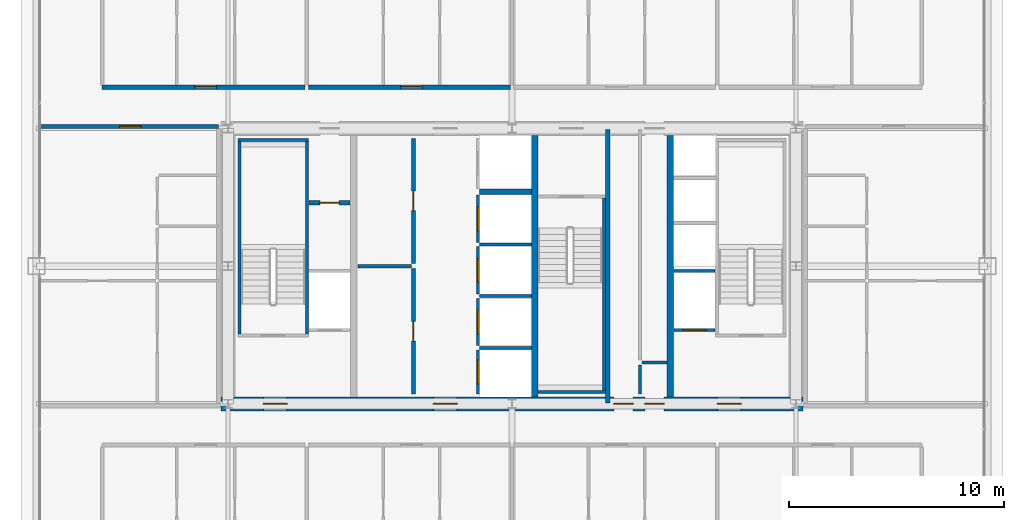
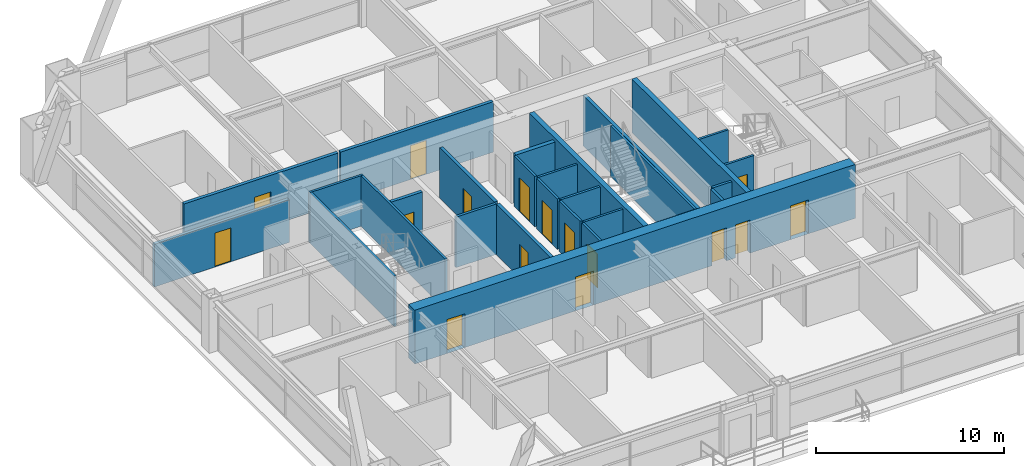
# One storey, part 38 of 42: 28 walls, 16 doors, 16 openings.
"""IFC4 building model written with IfcOpenShell, lengths in metres."""

from ifc_helpers import new_model, si_unit, direction, frame, frame_2d, origin, place, context, subcontext, project, spatial, rectangle, extrude, source, transform, mapped, material, layer, layer_set, type_object, element, fill, save


model = new_model("IFC4")

# Units and contexts
model_context = context("Model", 3, precision=1e-05, world=origin(), true_north=direction((0.0, 1.0)))
body_context = subcontext(model_context, "Body", "Model", "MODEL_VIEW")
ifc_project = project(units=[si_unit("LENGTHUNIT", "METRE"), si_unit("AREAUNIT", "SQUARE_METRE"), si_unit("VOLUMEUNIT", "CUBIC_METRE"), si_unit("PLANEANGLEUNIT", "RADIAN"), si_unit("MASSUNIT", "GRAM", prefix="KILO"), si_unit("THERMODYNAMICTEMPERATUREUNIT", "KELVIN"), si_unit("POWERUNIT", "WATT")], contexts=[model_context])

# Site, building, storey
site_placement = place(None, origin())
site = spatial("IfcSite", under=ifc_project, at=site_placement, CompositionType="ELEMENT")
building_placement = place(site_placement, origin())
building = spatial("IfcBuilding", under=site, at=building_placement, Name="Yuzanri Waterfront Tower", CompositionType="ELEMENT")
storey_placement = place(building_placement, frame((0.0, 0.0, 184.5)))
storey = spatial("IfcBuildingStorey", under=building, at=storey_placement, Name="L48", CompositionType="ELEMENT", Elevation=184.5)

# Wall, openings, doors
ifc_material_1 = material(Name="Concrete C50", Category="concrete")
ifc_layer_1 = layer(ifc_material_1, 0.64990234375)
ifc_layer_set_1 = layer_set([ifc_layer_1], Name="Concrete C50")
wall_type_1 = type_object("IfcWallType", Name="Concrete C50 Mid Zone Core Shear Wall 650", PredefinedType="SHEAR", material=ifc_layer_set_1)
wall_1_placement = place(storey_placement, frame((23.47509765625, 19.39990234375, 0.0), z_axis=(0.0, 0.0, 1.0), x_axis=(1.0, 0.0, 0.0)))
wall_1 = element("IfcWall", 1, at=wall_1_placement, inside=storey, type_object=wall_type_1, Name="L48 Core South Shear Wall", PredefinedType="SHEAR", context=body_context, shape_type="SweptSolid", body=[
    extrude(rectangle(XDim=27.0498046875, YDim=0.64990234375, at=frame_2d((13.52490234375, 0.0))), origin(), (0.0, 0.0, 1.0), 3.5),
])
opening_1_placement = place(wall_1_placement, frame((1.97509765625, 0.0, 0.0)))
opening_1 = element("IfcOpeningElement", 2, at=opening_1_placement, cuts=wall_1, Name="Opening FD-1100", PredefinedType="OPENING", context=body_context, shape_type="SweptSolid", body=[
    extrude(rectangle(XDim=1.10009765625, YDim=2.199951171875, at=frame_2d((0.550048828125, 1.10009765625))), frame((0.0, 0.33984375, 0.0), z_axis=(0.0, -1.0, 0.0), x_axis=(1.0, 0.0, 0.0)), (0.0, 0.0, 1.0), 0.6796875),
])
opening_2_placement = place(wall_1_placement, frame((9.875, 0.0, 0.0)))
opening_2 = element("IfcOpeningElement", 3, at=opening_2_placement, cuts=wall_1, Name="Opening FD-1100", PredefinedType="OPENING", context=body_context, shape_type="SweptSolid", body=[
    extrude(rectangle(XDim=1.10009765625, YDim=2.199951171875, at=frame_2d((0.550048828125, 1.10009765625))), frame((0.0, 0.33984375, 0.0), z_axis=(0.0, -1.0, 0.0), x_axis=(1.0, 0.0, 0.0)), (0.0, 0.0, 1.0), 0.6796875),
])
opening_3_placement = place(wall_1_placement, frame((23.074951171875, 0.0, 0.0)))
opening_3 = element("IfcOpeningElement", 4, at=opening_3_placement, cuts=wall_1, Name="Opening FD-1100", PredefinedType="OPENING", context=body_context, shape_type="SweptSolid", body=[
    extrude(rectangle(XDim=1.10009765625, YDim=2.199951171875, at=frame_2d((0.550048828125, 1.10009765625))), frame((0.0, 0.33984375, 0.0), z_axis=(0.0, -1.0, 0.0), x_axis=(1.0, 0.0, 0.0)), (0.0, 0.0, 1.0), 0.6796875),
])
opening_4_placement = place(wall_1_placement, frame((19.695068359375, 0.0, 0.0)))
opening_4 = element("IfcOpeningElement", 5, at=opening_4_placement, cuts=wall_1, Name="Opening FD-0900", PredefinedType="OPENING", context=body_context, shape_type="SweptSolid", body=[
    extrude(rectangle(XDim=0.89990234375, YDim=2.14990234375, at=frame_2d((0.449951171875, 1.074951171875))), frame((0.0, 0.33984375, 0.0), z_axis=(0.0, -1.0, 0.0), x_axis=(1.0, 0.0, 0.0)), (0.0, 0.0, 1.0), 0.6796875),
])
opening_5_placement = place(wall_1_placement, frame((18.2548828125, 0.0, 0.0)))
opening_5 = element("IfcOpeningElement", 6, at=opening_5_placement, cuts=wall_1, Name="Opening FD-0900", PredefinedType="OPENING", context=body_context, shape_type="SweptSolid", body=[
    extrude(rectangle(XDim=0.89990234375, YDim=2.14990234375, at=frame_2d((0.449951171875, 1.074951171875))), frame((0.0, 0.33984375, 0.0), z_axis=(0.0, -1.0, 0.0), x_axis=(1.0, 0.0, 0.0)), (0.0, 0.0, 1.0), 0.6796875),
])
ifc_material_2 = material(Name="Painted Galvanized Fire Steel", Category="steel")
door_type_1 = type_object("IfcDoorType", Name="Smoke-Proof Stair and Lobby Fire Door 1100x2200", OperationType="NOTDEFINED", PredefinedType="DOOR", material=ifc_material_2)
shared_shape_1 = source(origin(), body_context, "Body", "SweptSolid", [
    extrude(rectangle(XDim=1.10009765625, YDim=2.199951171875, at=frame_2d((0.550048828125, 1.10009765625))), frame((0.0, 0.02490234375, 0.0), z_axis=(0.0, -1.0, 0.0), x_axis=(1.0, 0.0, 0.0)), (0.0, 0.0, 1.0), 0.050048828125),
])
door_1_placement = place(opening_1_placement, origin())
door_1 = element("IfcDoor", 7, at=door_1_placement, inside=storey, type_object=door_type_1, Name="L48 West Firefighting Lobby Door", OperationType="SINGLE_SWING_LEFT", OverallHeight=2.199951171875, OverallWidth=1.10009765625, PredefinedType="DOOR", context=body_context, shape_type="MappedRepresentation", body=[
    mapped(shared_shape_1, transform((0.0, 0.0, 0.0), scale=1.0)),
])
fill(opening_1, door_1)
door_2_placement = place(opening_2_placement, origin())
door_2 = element("IfcDoor", 8, at=door_2_placement, inside=storey, type_object=door_type_1, Name="L48 Central Lift Lobby South Door", OperationType="SINGLE_SWING_RIGHT", OverallHeight=2.199951171875, OverallWidth=1.10009765625, PredefinedType="DOOR", context=body_context, shape_type="MappedRepresentation", body=[
    mapped(shared_shape_1, transform((0.0, 0.0, 0.0), scale=1.0)),
])
fill(opening_2, door_2)
door_3_placement = place(opening_3_placement, origin())
door_3 = element("IfcDoor", 9, at=door_3_placement, inside=storey, type_object=door_type_1, Name="L48 East Firefighting Lobby Door", OperationType="SINGLE_SWING_LEFT", OverallHeight=2.199951171875, OverallWidth=1.10009765625, PredefinedType="DOOR", context=body_context, shape_type="MappedRepresentation", body=[
    mapped(shared_shape_1, transform((0.0, 0.0, 0.0), scale=1.0)),
])
fill(opening_3, door_3)
ifc_material_3 = material(Name="Painted Galvanized Fire Steel", Category="steel")
door_type_2 = type_object("IfcDoorType", Name="Riser and Service Room Fire Door 900x2150", OperationType="NOTDEFINED", PredefinedType="DOOR", material=ifc_material_3)
shared_shape_2 = source(origin(), body_context, "Body", "SweptSolid", [
    extrude(rectangle(XDim=0.89990234375, YDim=2.14990234375, at=frame_2d((0.449951171875, 1.074951171875))), frame((0.0, 0.02490234375, 0.0), z_axis=(0.0, -1.0, 0.0), x_axis=(1.0, 0.0, 0.0)), (0.0, 0.0, 1.0), 0.050048828125),
])
door_4_placement = place(opening_4_placement, origin())
door_4 = element("IfcDoor", 10, at=door_4_placement, inside=storey, type_object=door_type_2, Name="L48 East Wet Riser Door", OperationType="SINGLE_SWING_RIGHT", OverallHeight=2.14990234375, OverallWidth=0.89990234375, PredefinedType="DOOR", context=body_context, shape_type="MappedRepresentation", body=[
    mapped(shared_shape_2, transform((0.0, 0.0, 0.0), scale=1.0)),
])
fill(opening_4, door_4)
door_5_placement = place(opening_5_placement, origin())
door_5 = element("IfcDoor", 11, at=door_5_placement, inside=storey, type_object=door_type_2, Name="L48 Cleaners Store Room", OperationType="SINGLE_SWING_LEFT", OverallHeight=2.14990234375, OverallWidth=0.89990234375, PredefinedType="DOOR", context=body_context, shape_type="MappedRepresentation", body=[
    mapped(shared_shape_2, transform((0.0, 0.0, 0.0), scale=1.0)),
])
fill(opening_5, door_5)

# Wall, opening, door
ifc_material_4 = material(Name="Concrete C40", Category="concrete")
ifc_layer_2 = layer(ifc_material_4, 0.139892578125)
ifc_layer_set_2 = layer_set([ifc_layer_2], Name="Concrete C40")
wall_type_2 = type_object("IfcWallType", Name="Core Stair Liner and Hoistway Shaft Wall 140", PredefinedType="SOLIDWALL", material=ifc_layer_set_2)
wall_2_placement = place(storey_placement, frame((44.52001953125, 22.830078125, 0.0), z_axis=(0.0, 0.0, 1.0), x_axis=(1.0, 0.0, 0.0)))
wall_2 = element("IfcWall", 12, at=wall_2_placement, inside=storey, type_object=wall_type_2, Name="L48 Lift FL-02 Front Shaft Wall", PredefinedType="SOLIDWALL", context=body_context, shape_type="SweptSolid", body=[
    extrude(rectangle(XDim=1.919921875, YDim=0.139892578125, at=frame_2d((0.9599609375, 0.0))), origin(), (0.0, 0.0, 1.0), 3.280029296875),
])
opening_6_placement = place(wall_2_placement, frame((0.409912109375, 0.0, 0.0)))
opening_6 = element("IfcOpeningElement", 13, at=opening_6_placement, cuts=wall_2, Name="Opening LD-FL-02", PredefinedType="OPENING", context=body_context, shape_type="SweptSolid", body=[
    extrude(rectangle(XDim=1.10009765625, YDim=2.199951171875, at=frame_2d((0.550048828125, 1.10009765625))), frame((0.0, 0.0849609375, 0.0), z_axis=(0.0, -1.0, 0.0), x_axis=(1.0, 0.0, 0.0)), (0.0, 0.0, 1.0), 0.169677734375),
])
ifc_material_5 = material(Name="Brushed Bronze and Stainless Steel Cab", Category="steel")
door_type_3 = type_object("IfcDoorType", Name="Center-Parting Bronze Lift Landing Sliding Door 1100x2200", OperationType="NOTDEFINED", PredefinedType="DOOR", material=ifc_material_5)
shared_shape_3 = source(origin(), body_context, "Body", "SweptSolid", [
    extrude(rectangle(XDim=1.10009765625, YDim=2.199951171875, at=frame_2d((0.550048828125, 1.10009765625))), frame((0.0, 0.02490234375, 0.0), z_axis=(0.0, -1.0, 0.0), x_axis=(1.0, 0.0, 0.0)), (0.0, 0.0, 1.0), 0.050048828125),
])
door_6_placement = place(opening_6_placement, origin())
door_6 = element("IfcDoor", 14, at=door_6_placement, inside=storey, type_object=door_type_3, Name="L48 FL-02 Lift Landing Sliding Door", OperationType="SLIDING_TO_RIGHT", OverallHeight=2.199951171875, OverallWidth=1.10009765625, PredefinedType="DOOR", context=body_context, shape_type="MappedRepresentation", body=[
    mapped(shared_shape_3, transform((0.0, 0.0, 0.0), scale=1.0)),
])
fill(opening_6, door_6)

wall_3_placement = place(storey_placement, frame((35.429931640625, 19.860107421875, 0.0), z_axis=(0.0, 0.0, 1.0), x_axis=(0.0, 1.0, 0.0)))
wall_3 = element("IfcWall", 15, at=wall_3_placement, inside=storey, type_object=wall_type_2, Name="L48 Lift PL-05 Front Shaft Wall", PredefinedType="SOLIDWALL", context=body_context, shape_type="SweptSolid", body=[
    extrude(rectangle(XDim=2.039794921875, YDim=0.139892578125, at=frame_2d((1.02001953125, 0.0))), origin(), (0.0, 0.0, 1.0), 3.280029296875),
])
opening_7_placement = place(wall_3_placement, frame((0.469970703125, 0.0, 0.0)))
opening_7 = element("IfcOpeningElement", 16, at=opening_7_placement, cuts=wall_3, Name="Opening LD-PL-05", PredefinedType="OPENING", context=body_context, shape_type="SweptSolid", body=[
    extrude(rectangle(XDim=1.10009765625, YDim=2.199951171875, at=frame_2d((0.550048828125, 1.10009765625))), frame((0.0, 0.0849609375, 0.0), z_axis=(0.0, -1.0, 0.0), x_axis=(1.0, 0.0, 0.0)), (0.0, 0.0, 1.0), 0.169677734375),
])
door_7_placement = place(opening_7_placement, origin())
door_7 = element("IfcDoor", 17, at=door_7_placement, inside=storey, type_object=door_type_3, Name="L48 PL-05 Lift Landing Sliding Door", OperationType="SLIDING_TO_RIGHT", OverallHeight=2.199951171875, OverallWidth=1.10009765625, PredefinedType="DOOR", context=body_context, shape_type="MappedRepresentation", body=[
    mapped(shared_shape_3, transform((0.0, 0.0, 0.0), scale=1.0)),
])
fill(opening_7, door_7)

wall_4_placement = place(storey_placement, frame((35.429931640625, 22.10009765625, 0.0), z_axis=(0.0, 0.0, 1.0), x_axis=(0.0, 1.0, 0.0)))
wall_4 = element("IfcWall", 18, at=wall_4_placement, inside=storey, type_object=wall_type_2, Name="L48 Lift PL-06 Front Shaft Wall", PredefinedType="SOLIDWALL", context=body_context, shape_type="SweptSolid", body=[
    extrude(rectangle(XDim=2.199951171875, YDim=0.139892578125, at=frame_2d((1.10009765625, 0.0))), origin(), (0.0, 0.0, 1.0), 3.280029296875),
])
opening_8_placement = place(wall_4_placement, frame((0.550048828125, 0.0, 0.0)))
opening_8 = element("IfcOpeningElement", 19, at=opening_8_placement, cuts=wall_4, Name="Opening LD-PL-06", PredefinedType="OPENING", context=body_context, shape_type="SweptSolid", body=[
    extrude(rectangle(XDim=1.10009765625, YDim=2.199951171875, at=frame_2d((0.550048828125, 1.10009765625))), frame((0.0, 0.0849609375, 0.0), z_axis=(0.0, -1.0, 0.0), x_axis=(1.0, 0.0, 0.0)), (0.0, 0.0, 1.0), 0.169677734375),
])
door_8_placement = place(opening_8_placement, origin())
door_8 = element("IfcDoor", 20, at=door_8_placement, inside=storey, type_object=door_type_3, Name="L48 PL-06 Lift Landing Sliding Door", OperationType="SLIDING_TO_LEFT", OverallHeight=2.199951171875, OverallWidth=1.10009765625, PredefinedType="DOOR", context=body_context, shape_type="MappedRepresentation", body=[
    mapped(shared_shape_3, transform((0.0, 0.0, 0.0), scale=1.0)),
])
fill(opening_8, door_8)

wall_5_placement = place(storey_placement, frame((35.429931640625, 24.5, 0.0), z_axis=(0.0, 0.0, 1.0), x_axis=(0.0, 1.0, 0.0)))
wall_5 = element("IfcWall", 21, at=wall_5_placement, inside=storey, type_object=wall_type_2, Name="L48 Lift PL-07 Front Shaft Wall", PredefinedType="SOLIDWALL", context=body_context, shape_type="SweptSolid", body=[
    extrude(rectangle(XDim=2.199951171875, YDim=0.139892578125, at=frame_2d((1.10009765625, 0.0))), origin(), (0.0, 0.0, 1.0), 3.280029296875),
])
opening_9_placement = place(wall_5_placement, frame((0.550048828125, 0.0, 0.0)))
opening_9 = element("IfcOpeningElement", 22, at=opening_9_placement, cuts=wall_5, Name="Opening LD-PL-07", PredefinedType="OPENING", context=body_context, shape_type="SweptSolid", body=[
    extrude(rectangle(XDim=1.10009765625, YDim=2.199951171875, at=frame_2d((0.550048828125, 1.10009765625))), frame((0.0, 0.0849609375, 0.0), z_axis=(0.0, -1.0, 0.0), x_axis=(1.0, 0.0, 0.0)), (0.0, 0.0, 1.0), 0.169677734375),
])
door_9_placement = place(opening_9_placement, origin())
door_9 = element("IfcDoor", 23, at=door_9_placement, inside=storey, type_object=door_type_3, Name="L48 PL-07 Lift Landing Sliding Door", OperationType="SLIDING_TO_RIGHT", OverallHeight=2.199951171875, OverallWidth=1.10009765625, PredefinedType="DOOR", context=body_context, shape_type="MappedRepresentation", body=[
    mapped(shared_shape_3, transform((0.0, 0.0, 0.0), scale=1.0)),
])
fill(opening_9, door_9)

wall_6_placement = place(storey_placement, frame((35.429931640625, 26.89990234375, 0.0), z_axis=(0.0, 0.0, 1.0), x_axis=(0.0, 1.0, 0.0)))
wall_6 = element("IfcWall", 24, at=wall_6_placement, inside=storey, type_object=wall_type_2, Name="L48 Lift PL-08 Front Shaft Wall", PredefinedType="SOLIDWALL", context=body_context, shape_type="SweptSolid", body=[
    extrude(rectangle(XDim=2.2001953125, YDim=0.139892578125, at=frame_2d((1.10009765625, 0.0))), origin(), (0.0, 0.0, 1.0), 3.280029296875),
])
opening_10_placement = place(wall_6_placement, frame((0.550048828125, 0.0, 0.0)))
opening_10 = element("IfcOpeningElement", 25, at=opening_10_placement, cuts=wall_6, Name="Opening LD-PL-08", PredefinedType="OPENING", context=body_context, shape_type="SweptSolid", body=[
    extrude(rectangle(XDim=1.10009765625, YDim=2.199951171875, at=frame_2d((0.550048828125, 1.10009765625))), frame((0.0, 0.0849609375, 0.0), z_axis=(0.0, -1.0, 0.0), x_axis=(1.0, 0.0, 0.0)), (0.0, 0.0, 1.0), 0.169677734375),
])
door_10_placement = place(opening_10_placement, origin())
door_10 = element("IfcDoor", 26, at=door_10_placement, inside=storey, type_object=door_type_3, Name="L48 PL-08 Lift Landing Sliding Door", OperationType="SLIDING_TO_LEFT", OverallHeight=2.199951171875, OverallWidth=1.10009765625, PredefinedType="DOOR", context=body_context, shape_type="MappedRepresentation", body=[
    mapped(shared_shape_3, transform((0.0, 0.0, 0.0), scale=1.0)),
])
fill(opening_10, door_10)

ifc_material_6 = material(Name="Autoclaved Aerated Concrete Blockwork", Category="masonry")
ifc_layer_3 = layer(ifc_material_6, 0.199951171875)
ifc_layer_set_3 = layer_set([ifc_layer_3], Name="Autoclaved Aerated Concrete Blockwork")
wall_type_3 = type_object("IfcWallType", Name="Corridor and Unit Party Fire Wall 200", PredefinedType="PARTITIONING", material=ifc_layer_set_3)
wall_7_placement = place(storey_placement, frame((27.56005859375, 28.75, 0.0), z_axis=(0.0, 0.0, 1.0), x_axis=(1.0, 0.0, 0.0)))
wall_7 = element("IfcWall", 27, at=wall_7_placement, inside=storey, type_object=wall_type_3, Name="L48 Partition CRW-L48-ERTR", PredefinedType="PARTITIONING", context=body_context, shape_type="SweptSolid", body=[
    extrude(rectangle(XDim=1.919921875, YDim=0.199951171875, at=frame_2d((0.9599609375, 0.0))), origin(), (0.0, 0.0, 1.0), 3.280029296875),
])
opening_11_placement = place(wall_7_placement, frame((0.510009765625, 0.0, 0.0)))
opening_11 = element("IfcOpeningElement", 28, at=opening_11_placement, cuts=wall_7, Name="Opening FD-0900", PredefinedType="OPENING", context=body_context, shape_type="SweptSolid", body=[
    extrude(rectangle(XDim=0.89990234375, YDim=2.14990234375, at=frame_2d((0.449951171875, 1.074951171875))), frame((0.0, 0.11474609375, 0.0), z_axis=(0.0, -1.0, 0.0), x_axis=(1.0, 0.0, 0.0)), (0.0, 0.0, 1.0), 0.229736328125),
])
door_11_placement = place(opening_11_placement, origin())
door_11 = element("IfcDoor", 29, at=door_11_placement, inside=storey, type_object=door_type_2, Name="L48 Electrical Riser Door", OperationType="SINGLE_SWING_LEFT", OverallHeight=2.14990234375, OverallWidth=0.89990234375, PredefinedType="DOOR", context=body_context, shape_type="MappedRepresentation", body=[
    mapped(shared_shape_2, transform((0.0, 0.0, 0.0), scale=1.0)),
])
fill(opening_11, door_11)

wall_8_placement = place(storey_placement, frame((32.419921875, 19.860107421875, 0.0), z_axis=(0.0, 0.0, 1.0), x_axis=(0.0, 1.0, 0.0)))
wall_8 = element("IfcWall", 30, at=wall_8_placement, inside=storey, type_object=wall_type_3, Name="L48 Partition CRW-L48-B1R-1", PredefinedType="PARTITIONING", context=body_context, shape_type="SweptSolid", body=[
    extrude(rectangle(XDim=5.83984375, YDim=0.199951171875, at=frame_2d((2.919921875, 0.0))), origin(), (0.0, 0.0, 1.0), 3.280029296875),
])
opening_12_placement = place(wall_8_placement, frame((2.469970703125, 0.0, 0.0)))
opening_12 = element("IfcOpeningElement", 31, at=opening_12_placement, cuts=wall_8, Name="Opening FD-0900", PredefinedType="OPENING", context=body_context, shape_type="SweptSolid", body=[
    extrude(rectangle(XDim=0.89990234375, YDim=2.14990234375, at=frame_2d((0.449951171875, 1.074951171875))), frame((0.0, 0.11474609375, 0.0), z_axis=(0.0, -1.0, 0.0), x_axis=(1.0, 0.0, 0.0)), (0.0, 0.0, 1.0), 0.229736328125),
])
door_12_placement = place(opening_12_placement, origin())
door_12 = element("IfcDoor", 32, at=door_12_placement, inside=storey, type_object=door_type_2, Name="L48 South Private Store Room", OperationType="SINGLE_SWING_RIGHT", OverallHeight=2.14990234375, OverallWidth=0.89990234375, PredefinedType="DOOR", context=body_context, shape_type="MappedRepresentation", body=[
    mapped(shared_shape_2, transform((0.0, 0.0, 0.0), scale=1.0)),
])
fill(opening_12, door_12)

wall_9_placement = place(storey_placement, frame((32.419921875, 25.919921875, 0.0), z_axis=(0.0, 0.0, 1.0), x_axis=(0.0, 1.0, 0.0)))
wall_9 = element("IfcWall", 33, at=wall_9_placement, inside=storey, type_object=wall_type_3, Name="L48 Partition CRW-L48-B1R-2", PredefinedType="PARTITIONING", context=body_context, shape_type="SweptSolid", body=[
    extrude(rectangle(XDim=5.820068359375, YDim=0.199951171875, at=frame_2d((2.91015625, 0.0))), origin(), (0.0, 0.0, 1.0), 3.280029296875),
])
opening_13_placement = place(wall_9_placement, frame((2.4599609375, 0.0, 0.0)))
opening_13 = element("IfcOpeningElement", 34, at=opening_13_placement, cuts=wall_9, Name="Opening FD-0900", PredefinedType="OPENING", context=body_context, shape_type="SweptSolid", body=[
    extrude(rectangle(XDim=0.89990234375, YDim=2.14990234375, at=frame_2d((0.449951171875, 1.074951171875))), frame((0.0, 0.11474609375, 0.0), z_axis=(0.0, -1.0, 0.0), x_axis=(1.0, 0.0, 0.0)), (0.0, 0.0, 1.0), 0.229736328125),
])
door_13_placement = place(opening_13_placement, origin())
door_13 = element("IfcDoor", 35, at=door_13_placement, inside=storey, type_object=door_type_2, Name="L48 North Private Store Room", OperationType="SINGLE_SWING_LEFT", OverallHeight=2.14990234375, OverallWidth=0.89990234375, PredefinedType="DOOR", context=body_context, shape_type="MappedRepresentation", body=[
    mapped(shared_shape_2, transform((0.0, 0.0, 0.0), scale=1.0)),
])
fill(opening_13, door_13)

wall_10_placement = place(storey_placement, frame((17.93994140625, 34.110107421875, 0.0), z_axis=(0.0, 0.0, 1.0), x_axis=(1.0, 0.0, 0.0)))
wall_10 = element("IfcWall", 36, at=wall_10_placement, inside=storey, type_object=wall_type_3, Name="L48 Partition UW-L48-RN1-CS", PredefinedType="PARTITIONING", context=body_context, shape_type="SweptSolid", body=[
    extrude(rectangle(XDim=9.449951171875, YDim=0.199951171875, at=frame_2d((4.72509765625, 0.0))), origin(), (0.0, 0.0, 1.0), 3.280029296875),
])
opening_14_placement = place(wall_10_placement, frame((4.324951171875, 0.0, 0.0)))
opening_14 = element("IfcOpeningElement", 37, at=opening_14_placement, cuts=wall_10, Name="Opening FD-1000", PredefinedType="OPENING", context=body_context, shape_type="SweptSolid", body=[
    extrude(rectangle(XDim=1.0, YDim=2.199951171875, at=frame_2d((0.5, 1.10009765625))), frame((0.0, 0.11474609375, 0.0), z_axis=(0.0, -1.0, 0.0), x_axis=(1.0, 0.0, 0.0)), (0.0, 0.0, 1.0), 0.229736328125),
])
ifc_material_7 = material(Name="Engineered Oak Fire-Rated Timber", Category="wood")
door_type_4 = type_object("IfcDoorType", Name="Guestroom and Apartment Entrance Fire Door 1000x2200", OperationType="NOTDEFINED", PredefinedType="DOOR", material=ifc_material_7)
shared_shape_4 = source(origin(), body_context, "Body", "SweptSolid", [
    extrude(rectangle(XDim=1.0, YDim=2.199951171875, at=frame_2d((0.5, 1.10009765625))), frame((0.0, 0.02490234375, 0.0), z_axis=(0.0, -1.0, 0.0), x_axis=(1.0, 0.0, 0.0)), (0.0, 0.0, 1.0), 0.050048828125),
])
door_14_placement = place(opening_14_placement, origin())
door_14 = element("IfcDoor", 38, at=door_14_placement, inside=storey, type_object=door_type_4, Name="L48 Studio Living and Sleeping Room Entrance Door", OperationType="SINGLE_SWING_LEFT", OverallHeight=2.199951171875, OverallWidth=1.0, PredefinedType="DOOR", context=body_context, shape_type="MappedRepresentation", body=[
    mapped(shared_shape_4, transform((0.0, 0.0, 0.0), scale=1.0)),
])
fill(opening_14, door_14)

wall_11_placement = place(storey_placement, frame((27.550048828125, 34.110107421875, 0.0), z_axis=(0.0, 0.0, 1.0), x_axis=(1.0, 0.0, 0.0)))
wall_11 = element("IfcWall", 39, at=wall_11_placement, inside=storey, type_object=wall_type_3, Name="L48 Partition UW-L48-RN2-CS", PredefinedType="PARTITIONING", context=body_context, shape_type="SweptSolid", body=[
    extrude(rectangle(XDim=9.369873046875, YDim=0.199951171875, at=frame_2d((4.68505859375, 0.0))), origin(), (0.0, 0.0, 1.0), 3.280029296875),
])
opening_15_placement = place(wall_11_placement, frame((4.281982421875, 0.0, 0.0)))
opening_15 = element("IfcOpeningElement", 40, at=opening_15_placement, cuts=wall_11, Name="Opening FD-1000", PredefinedType="OPENING", context=body_context, shape_type="SweptSolid", body=[
    extrude(rectangle(XDim=1.0, YDim=2.199951171875, at=frame_2d((0.5, 1.10009765625))), frame((0.0, 0.11474609375, 0.0), z_axis=(0.0, -1.0, 0.0), x_axis=(1.0, 0.0, 0.0)), (0.0, 0.0, 1.0), 0.229736328125),
])
door_15_placement = place(opening_15_placement, origin())
door_15 = element("IfcDoor", 41, at=door_15_placement, inside=storey, type_object=door_type_4, Name="L48 Studio Living and Sleeping Room Entrance Door", OperationType="SINGLE_SWING_RIGHT", OverallHeight=2.199951171875, OverallWidth=1.0, PredefinedType="DOOR", context=body_context, shape_type="MappedRepresentation", body=[
    mapped(shared_shape_4, transform((0.0, 0.0, 0.0), scale=1.0)),
])
fill(opening_15, door_15)

wall_12_placement = place(storey_placement, frame((15.050048828125, 32.2900390625, 0.0), z_axis=(0.0, 0.0, 1.0), x_axis=(1.0, 0.0, 0.0)))
wall_12 = element("IfcWall", 42, at=wall_12_placement, inside=storey, type_object=wall_type_3, Name="L48 Partition UW-L48-RW1-CN", PredefinedType="PARTITIONING", context=body_context, shape_type="SweptSolid", body=[
    extrude(rectangle(XDim=8.300048828125, YDim=0.199951171875, at=frame_2d((4.14990234375, 0.0))), origin(), (0.0, 0.0, 1.0), 2.77490234375),
])
opening_16_placement = place(wall_12_placement, frame((3.715087890625, 0.0, 0.0)))
opening_16 = element("IfcOpeningElement", 43, at=opening_16_placement, cuts=wall_12, Name="Opening FD-1000", PredefinedType="OPENING", context=body_context, shape_type="SweptSolid", body=[
    extrude(rectangle(XDim=1.0, YDim=2.199951171875, at=frame_2d((0.5, 1.10009765625))), frame((0.0, 0.11474609375, 0.0), z_axis=(0.0, -1.0, 0.0), x_axis=(1.0, 0.0, 0.0)), (0.0, 0.0, 1.0), 0.229736328125),
])
door_16_placement = place(opening_16_placement, origin())
door_16 = element("IfcDoor", 44, at=door_16_placement, inside=storey, type_object=door_type_4, Name="L48 Wing Residence Living and Dining Room Entrance Door", OperationType="SINGLE_SWING_LEFT", OverallHeight=2.199951171875, OverallWidth=1.0, PredefinedType="DOOR", context=body_context, shape_type="MappedRepresentation", body=[
    mapped(shared_shape_4, transform((0.0, 0.0, 0.0), scale=1.0)),
])
fill(opening_16, door_16)

# Walls
ifc_material_8 = material(Name="Concrete C50", Category="concrete")
ifc_layer_4 = layer(ifc_material_8, 0.300048828125)
ifc_layer_set_4 = layer_set([ifc_layer_4], Name="Concrete C50")
wall_type_4 = type_object("IfcWallType", Name="Concrete C50 Internal Core Shaft Structural Wall 300", PredefinedType="SOLIDWALL", material=ifc_layer_set_4)
shared_shape_5 = source(origin(), body_context, "Body", "SweptSolid", [
    extrude(rectangle(XDim=12.14990234375, YDim=0.300048828125, at=frame_2d((6.074951171875, 0.0))), origin(), (0.0, 0.0, 1.0), 3.5),
])
for number, where, z_axis, x_axis, name in (
    (45, (38.050048828125, 19.72509765625, 0.0), (0.0, 0.0, 1.0), (0.0, 1.0, 0.0), "L48 Core Internal Structural Web Wall 2"),
    (46, (44.35009765625, 19.72509765625, 0.0), (0.0, 0.0, 1.0), (0.0, 1.0, 0.0), "L48 Core Internal Structural Web Wall 3"),
):
    element("IfcWall", number, at=place(storey_placement, frame(where, z_axis=z_axis, x_axis=x_axis)), inside=storey, type_object=wall_type_4, Name=name, PredefinedType="SOLIDWALL", context=body_context, shape_type="MappedRepresentation", body=[
        mapped(shared_shape_5, transform((0.0, 0.0, 0.0), scale=1.0)),
    ])
shared_shape_6 = source(origin(), body_context, "Body", "SweptSolid", [
    extrude(rectangle(XDim=1.919921875, YDim=0.139892578125, at=frame_2d((0.9599609375, 0.0))), origin(), (0.0, 0.0, 1.0), 3.280029296875),
])
wall_13_placement = place(storey_placement, frame((44.52001953125, 25.570068359375, 0.0), z_axis=(0.0, 0.0, 1.0), x_axis=(1.0, 0.0, 0.0)))
element("IfcWall", 47, at=wall_13_placement, inside=storey, type_object=wall_type_2, Name="L48 Lift FL-02 Back Shaft Wall", PredefinedType="SOLIDWALL", context=body_context, shape_type="MappedRepresentation", body=[
    mapped(shared_shape_6, transform((0.0, 0.0, 0.0), scale=1.0)),
])
shared_shape_7 = source(origin(), body_context, "Body", "SweptSolid", [
    extrude(rectangle(XDim=2.39990234375, YDim=0.139892578125, at=frame_2d((1.199951171875, 0.0))), origin(), (0.0, 0.0, 1.0), 3.280029296875),
])
for number, where, z_axis, x_axis, name in (
    (48, (35.5, 22.0, 0.0), (0.0, 0.0, 1.0), (1.0, 0.0, 0.0), "L48 Lift PL-05 Divider Wall"),
    (49, (35.5, 24.39990234375, 0.0), (0.0, 0.0, 1.0), (1.0, 0.0, 0.0), "L48 Lift PL-06 Divider Wall"),
    (50, (35.5, 26.800048828125, 0.0), (0.0, 0.0, 1.0), (1.0, 0.0, 0.0), "L48 Lift PL-07 Divider Wall"),
):
    element("IfcWall", number, at=place(storey_placement, frame(where, z_axis=z_axis, x_axis=x_axis)), inside=storey, type_object=wall_type_2, Name=name, PredefinedType="SOLIDWALL", context=body_context, shape_type="MappedRepresentation", body=[
        mapped(shared_shape_7, transform((0.0, 0.0, 0.0), scale=1.0)),
    ])
ifc_material_9 = material(Name="Concrete C40", Category="concrete")
ifc_layer_5 = layer(ifc_material_9, 0.25)
ifc_layer_set_5 = layer_set([ifc_layer_5], Name="Concrete C40")
wall_type_5 = type_object("IfcWallType", Name="Smoke-Proof Stair and Lift Shaft Wall 250", PredefinedType="SOLIDWALL", material=ifc_layer_set_5)
shared_shape_8 = source(origin(), body_context, "Body", "SweptSolid", [
    extrude(rectangle(XDim=2.39990234375, YDim=0.25, at=frame_2d((1.199951171875, 0.0))), origin(), (0.0, 0.0, 1.0), 3.280029296875),
])
wall_14_placement = place(storey_placement, frame((35.5, 29.25, 0.0), z_axis=(0.0, 0.0, 1.0), x_axis=(1.0, 0.0, 0.0)))
element("IfcWall", 51, at=wall_14_placement, inside=storey, type_object=wall_type_5, Name="L48 Lift SL-02 South Shaft Wall", PredefinedType="SOLIDWALL", context=body_context, shape_type="MappedRepresentation", body=[
    mapped(shared_shape_8, transform((0.0, 0.0, 0.0), scale=1.0)),
])
shared_shape_9 = source(origin(), body_context, "Body", "SweptSolid", [
    extrude(rectangle(XDim=3.280029296875, YDim=0.139892578125, at=frame_2d((1.64013671875, 0.0))), origin(), (0.0, 0.0, 1.0), 3.280029296875),
])
wall_15_placement = place(storey_placement, frame((24.260009765625, 31.64990234375, 0.0), z_axis=(0.0, 0.0, 1.0), x_axis=(1.0, 0.0, 0.0)))
element("IfcWall", 52, at=wall_15_placement, inside=storey, type_object=wall_type_2, Name="L48 Stair ST-01 North Shaft Wall", PredefinedType="SOLIDWALL", context=body_context, shape_type="MappedRepresentation", body=[
    mapped(shared_shape_9, transform((0.0, 0.0, 0.0), scale=1.0)),
])
shared_shape_10 = source(origin(), body_context, "Body", "SweptSolid", [
    extrude(rectangle(XDim=8.940185546875, YDim=0.139892578125, at=frame_2d((4.47021484375, 0.0))), origin(), (0.0, 0.0, 1.0), 3.280029296875),
])
for number, where, z_axis, x_axis, name in (
    (53, (24.330078125, 22.639892578125, 0.0), (0.0, 0.0, 1.0), (0.0, 1.0, 0.0), "L48 Stair ST-01 West Shaft Wall"),
    (54, (27.469970703125, 22.639892578125, 0.0), (0.0, 0.0, 1.0), (0.0, 1.0, 0.0), "L48 Stair ST-01 East Shaft Wall"),
):
    element("IfcWall", number, at=place(storey_placement, frame(where, z_axis=z_axis, x_axis=x_axis)), inside=storey, type_object=wall_type_2, Name=name, PredefinedType="SOLIDWALL", context=body_context, shape_type="MappedRepresentation", body=[
        mapped(shared_shape_10, transform((0.0, 0.0, 0.0), scale=1.0)),
    ])
shared_shape_11 = source(origin(), body_context, "Body", "SweptSolid", [
    extrude(rectangle(XDim=3.14013671875, YDim=0.139892578125, at=frame_2d((1.570068359375, 0.0))), origin(), (0.0, 0.0, 1.0), 3.280029296875),
])
wall_16_placement = place(storey_placement, frame((38.199951171875, 19.949951171875, 0.0), z_axis=(0.0, 0.0, 1.0), x_axis=(1.0, 0.0, 0.0)))
element("IfcWall", 55, at=wall_16_placement, inside=storey, type_object=wall_type_2, Name="L48 Stair ST-03 South Shaft Wall", PredefinedType="SOLIDWALL", context=body_context, shape_type="MappedRepresentation", body=[
    mapped(shared_shape_11, transform((0.0, 0.0, 0.0), scale=1.0)),
])
shared_shape_12 = source(origin(), body_context, "Body", "SweptSolid", [
    extrude(rectangle(XDim=8.93994140625, YDim=0.139892578125, at=frame_2d((4.469970703125, 0.0))), origin(), (0.0, 0.0, 1.0), 3.280029296875),
])
wall_17_placement = place(storey_placement, frame((41.27001953125, 20.02001953125, 0.0), z_axis=(0.0, 0.0, 1.0), x_axis=(0.0, 1.0, 0.0)))
element("IfcWall", 56, at=wall_17_placement, inside=storey, type_object=wall_type_2, Name="L48 Stair ST-03 East Shaft Wall", PredefinedType="SOLIDWALL", context=body_context, shape_type="MappedRepresentation", body=[
    mapped(shared_shape_12, transform((0.0, 0.0, 0.0), scale=1.0)),
])
ifc_material_10 = material(Name="Gypsum Fireboard Acoustic Stud Wall", Category="gypsum")
ifc_layer_6 = layer(ifc_material_10, 0.159912109375)
ifc_layer_set_6 = layer_set([ifc_layer_6], Name="Gypsum Fireboard Acoustic Stud Wall")
wall_type_6 = type_object("IfcWallType", Name="Acoustic Suite Demising Partition 160", PredefinedType="PARTITIONING", material=ifc_layer_set_6)
shared_shape_13 = source(origin(), body_context, "Body", "SweptSolid", [
    extrude(rectangle(XDim=2.469970703125, YDim=0.159912109375, at=frame_2d((1.23486328125, 0.0))), origin(), (0.0, 0.0, 1.0), 3.280029296875),
])
wall_18_placement = place(storey_placement, frame((29.85009765625, 25.800048828125, 0.0), z_axis=(0.0, 0.0, 1.0), x_axis=(1.0, 0.0, 0.0)))
element("IfcWall", 57, at=wall_18_placement, inside=storey, type_object=wall_type_6, Name="L48 Reclaimed Core Divider 2", PredefinedType="PARTITIONING", context=body_context, shape_type="MappedRepresentation", body=[
    mapped(shared_shape_13, transform((0.0, 0.0, 0.0), scale=1.0)),
])
shared_shape_14 = source(origin(), body_context, "Body", "SweptSolid", [
    extrude(rectangle(XDim=1.33984375, YDim=0.159912109375, at=frame_2d((0.669921875, 0.0))), origin(), (0.0, 0.0, 1.0), 3.280029296875),
])
wall_19_placement = place(storey_placement, frame((42.949951171875, 19.860107421875, 0.0), z_axis=(0.0, 0.0, 1.0), x_axis=(0.0, 1.0, 0.0)))
element("IfcWall", 58, at=wall_19_placement, inside=storey, type_object=wall_type_6, Name="L48 East Wet Riser West Wall", PredefinedType="PARTITIONING", context=body_context, shape_type="MappedRepresentation", body=[
    mapped(shared_shape_14, transform((0.0, 0.0, 0.0), scale=1.0)),
])
shared_shape_15 = source(origin(), body_context, "Body", "SweptSolid", [
    extrude(rectangle(XDim=1.169921875, YDim=0.159912109375, at=frame_2d((0.5849609375, 0.0))), origin(), (0.0, 0.0, 1.0), 3.280029296875),
])
wall_20_placement = place(storey_placement, frame((43.030029296875, 21.320068359375, 0.0), z_axis=(0.0, 0.0, 1.0), x_axis=(1.0, 0.0, 0.0)))
element("IfcWall", 59, at=wall_20_placement, inside=storey, type_object=wall_type_6, Name="L48 East Wet Riser North Wall", PredefinedType="PARTITIONING", context=body_context, shape_type="MappedRepresentation", body=[
    mapped(shared_shape_15, transform((0.0, 0.0, 0.0), scale=1.0)),
])
shared_shape_16 = source(origin(), body_context, "Body", "SweptSolid", [
    extrude(rectangle(XDim=12.719970703125, YDim=0.199951171875, at=frame_2d((6.35986328125, 0.0))), origin(), (0.0, 0.0, 1.0), 3.280029296875),
])
wall_21_placement = place(storey_placement, frame((41.449951171875, 19.43994140625, 0.0), z_axis=(0.0, 0.0, 1.0), x_axis=(0.0, 1.0, 0.0)))
element("IfcWall", 60, at=wall_21_placement, inside=storey, type_object=wall_type_3, Name="L48 Core BOH West Wall 1", PredefinedType="PARTITIONING", context=body_context, shape_type="MappedRepresentation", body=[
    mapped(shared_shape_16, transform((0.0, 0.0, 0.0), scale=1.0)),
])

save(model, "model.ifc")
